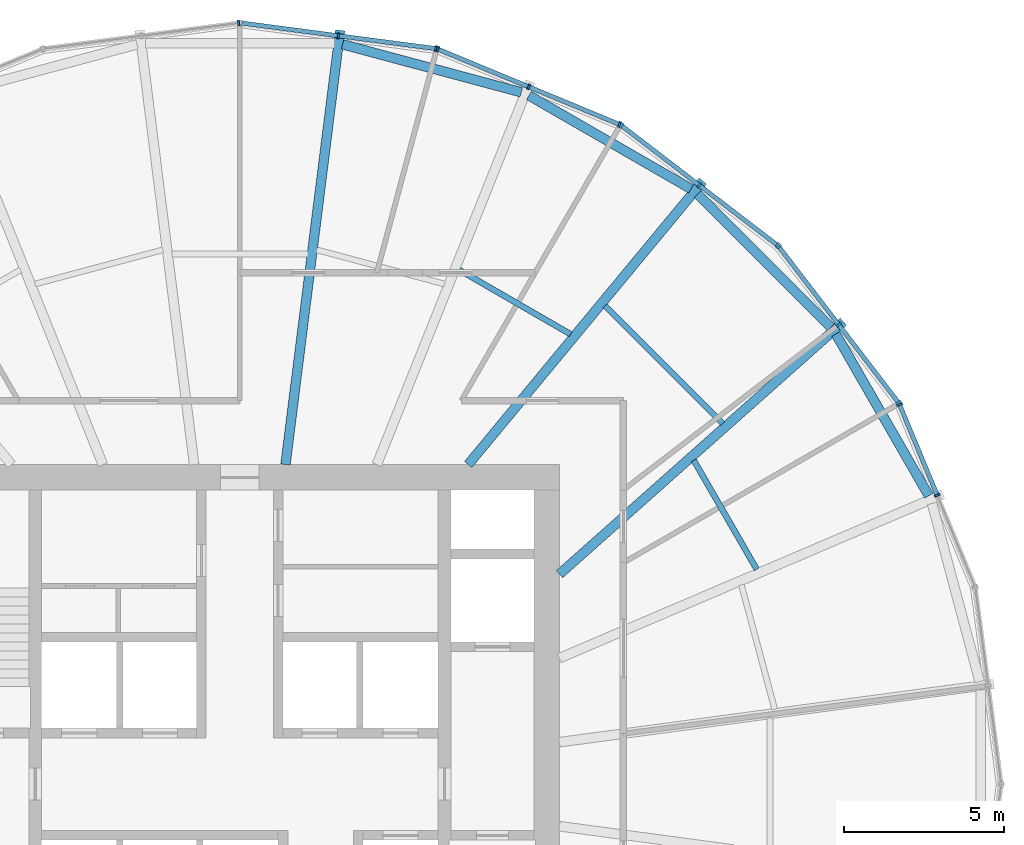
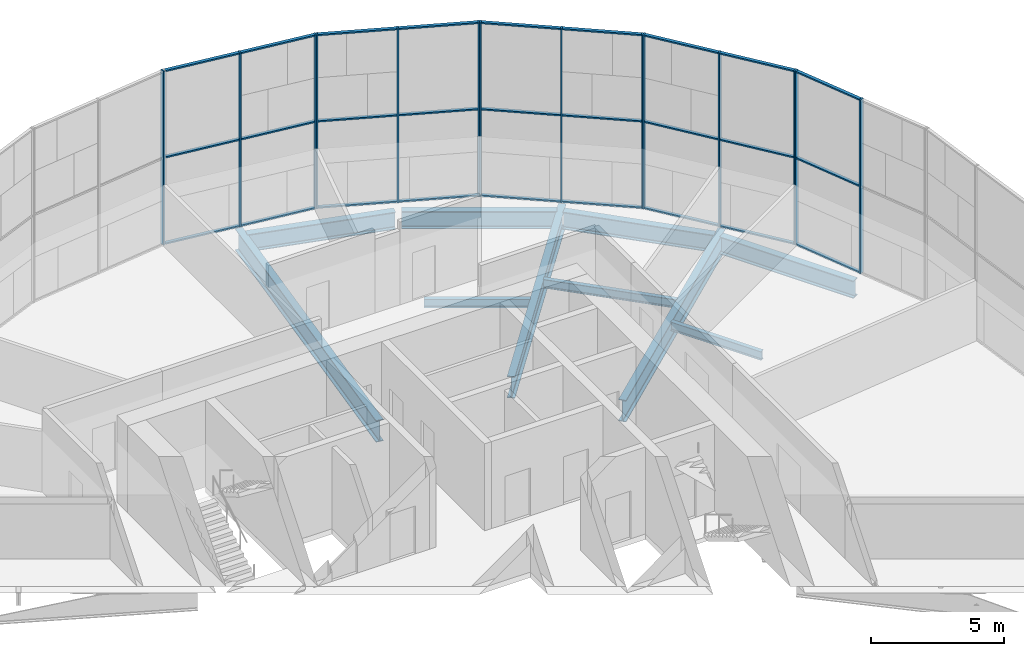
# One storey, part 7 of 18: 41 members, 10 beams, 6 elements without a shape of their own.
"""IFC4 building model written with IfcOpenShell, lengths in metres."""

import ifcopenshell
import ifcopenshell.guid

model = None  # the IFC model being written
_history = None  # IfcOwnerHistory: only IFC2X3 demands one
_inside = {}  # id of a spatial element -> (the spatial element, [elements in it])
_under = {}  # id of a project, library or spatial element -> (it, [spatial elements below it])
_declared = {}  # id of a project -> (the project, [libraries it declares])
_typed = {}  # id of a type object -> (the type object, [elements of that type])
_made_of = {}  # id of a material, layer set ... -> (it, [elements and type objects made of it])


def new_model(schema):
    """Start an empty IFC model of exactly this schema.

    Asked for "IFC4X3", IfcOpenShell would pick the latest addendum, in which some entities
    have other attributes; the version numbers below select the first issue.
    IFC2X3 requires an IfcOwnerHistory on every rooted entity: one is made here for all.
    """
    global model, _history
    if schema == "IFC4X3":
        model = ifcopenshell.file(schema_version=(4, 3, 0, 0))
    else:
        model = ifcopenshell.file(schema=schema)
    _inside.clear()
    _under.clear()
    _declared.clear()
    _typed.clear()
    _made_of.clear()
    _history = None
    if model.schema == "IFC2X3":
        org = make("IfcOrganization", Name="unknown")
        user = make(
            "IfcPersonAndOrganization",
            ThePerson=make("IfcPerson", FamilyName="unknown"),
            TheOrganization=org,
        )
        app = make(
            "IfcApplication",
            ApplicationDeveloper=org,
            Version="unknown",
            ApplicationFullName="unknown",
            ApplicationIdentifier="unknown",
        )
        _history = make(
            "IfcOwnerHistory",
            OwningUser=user,
            OwningApplication=app,
            ChangeAction="ADDED",
            CreationDate=0,
        )
    return model


def make(cls, **values):
    """One entity of the class cls with the attributes given. An attribute that is None is left unset."""
    return model.create_entity(
        cls, **{name: value for name, value in values.items() if value is not None}
    )


def rooted(cls, **values):
    """An entity with a GlobalId (a new one), such as an element, a storey or a relation."""
    return make(cls, GlobalId=ifcopenshell.guid.new(), OwnerHistory=_history, **values)


def si_unit(unit_type, name, prefix=None):
    """IfcSIUnit, for example si_unit("LENGTHUNIT", "METRE", prefix="MILLI")."""
    return make("IfcSIUnit", UnitType=unit_type, Prefix=prefix, Name=name)


def assignment(units):
    """IfcUnitAssignment: the units of a project."""
    return None if units is None else make("IfcUnitAssignment", Units=units)


def point(xyz):
    """IfcCartesianPoint."""
    return None if xyz is None else make("IfcCartesianPoint", Coordinates=xyz)


def direction(xyz):
    """IfcDirection."""
    return None if xyz is None else make("IfcDirection", DirectionRatios=xyz)


def frame(location, z_axis=None, x_axis=None):
    """IfcAxis2Placement3D, a coordinate frame: its origin and axes. An axis left out is left unset."""
    return make(
        "IfcAxis2Placement3D",
        Location=point(location),
        Axis=direction(z_axis),
        RefDirection=direction(x_axis),
    )


def frame_2d(location, x_axis=None):
    """IfcAxis2Placement2D, a coordinate frame in the plane: its origin and x axis."""
    return make(
        "IfcAxis2Placement2D", Location=point(location), RefDirection=direction(x_axis)
    )


def origin():
    """The frame at (0, 0, 0) with its axes left unset."""
    return frame((0.0, 0.0, 0.0))


def origin_2d():
    """The frame at (0, 0) in the plane with its x axis left unset."""
    return frame_2d((0.0, 0.0))


def place(relative_to, where):
    """IfcLocalPlacement: puts the frame where relative to a parent placement (None: the world)."""
    return make(
        "IfcLocalPlacement", PlacementRelTo=relative_to, RelativePlacement=where
    )


def context(
    kind, dimensions, precision=None, world=None, true_north=None, identifier=None
):
    """IfcGeometricRepresentationContext, for example the 3D "Model" context."""
    return make(
        "IfcGeometricRepresentationContext",
        ContextIdentifier=identifier,
        ContextType=kind,
        CoordinateSpaceDimension=dimensions,
        Precision=precision,
        WorldCoordinateSystem=world,
        TrueNorth=true_north,
    )


def subcontext(parent, identifier, kind, view, scale=None):
    """IfcGeometricRepresentationSubContext, for example "Body" below "Model"."""
    return make(
        "IfcGeometricRepresentationSubContext",
        ContextIdentifier=identifier,
        ContextType=kind,
        ParentContext=parent,
        TargetScale=scale,
        TargetView=view,
    )


def project(units=None, contexts=None):
    """IfcProject with its units and contexts."""
    return rooted(
        "IfcProject",
        Name="project",
        RepresentationContexts=contexts,
        UnitsInContext=assignment(units),
    )


def spatial(cls, under=None, at=None, **own):
    """A site, building, storey or space (cls), placed at a placement, below another one or the project."""
    s = rooted(cls, ObjectPlacement=at, **own)
    if under is not None:
        _under.setdefault(under.id(), (under, []))[1].append(s)
    return s


def profile(cls, at=None, kind="AREA", **sizes):
    """A parametric profile (cls). Its sizes go by their IFC names, for example OverallWidth=200.0."""
    return make(cls, ProfileType=kind, Position=at, **sizes)


def rectangle(**sizes):
    """IfcRectangleProfileDef."""
    return profile("IfcRectangleProfileDef", **sizes)


def i_section(**sizes):
    """IfcIShapeProfileDef."""
    return profile("IfcIShapeProfileDef", **sizes)


def extrude(swept, where, along, depth):
    """IfcExtrudedAreaSolid: the profile swept, set in the frame where, extruded along a direction by depth."""
    return make(
        "IfcExtrudedAreaSolid",
        SweptArea=swept,
        Position=where,
        ExtrudedDirection=direction(along),
        Depth=depth,
    )


def shape(context_of_items, identifier, shape_type, items):
    """IfcShapeRepresentation: the items that make up one representation, for example the "Body"."""
    return make(
        "IfcShapeRepresentation",
        ContextOfItems=context_of_items,
        RepresentationIdentifier=identifier,
        RepresentationType=shape_type,
        Items=items,
    )


def material(Name=None, Category=None):
    """IfcMaterial."""
    return make("IfcMaterial", Name=Name, Category=Category)


def material_profile(
    of_material, cross_section, Name=None, Category=None, Priority=None
):
    """IfcMaterialProfile: a cross section and its material."""
    return make(
        "IfcMaterialProfile",
        Name=Name,
        Material=of_material,
        Profile=cross_section,
        Priority=Priority,
        Category=Category,
    )


def profile_set(profiles, Name=None, composite=None):
    """IfcMaterialProfileSet."""
    return make(
        "IfcMaterialProfileSet",
        Name=Name,
        MaterialProfiles=profiles,
        CompositeProfile=composite,
    )


def made_of(thing, what):
    """Note that an element or type object is made of a material, layer set ...; save() writes the relation."""
    if what is not None:
        _made_of.setdefault(what.id(), (what, []))[1].append(thing)
    return thing


def type_object(cls, material=None, **own):
    """A type object (cls), such as IfcWallType, which elements share."""
    return made_of(rooted(cls, **own), material)


def element(
    cls,
    number,
    at=None,
    inside=None,
    cuts=None,
    type_object=None,
    material=None,
    context=None,
    identifier="Body",
    shape_type=None,
    held_by="IfcProductDefinitionShape",
    body=None,
    shapes=None,
    **own,
):
    """One element of the class cls, such as IfcWall. Its Tag is "e" and its number.

    at: its placement. inside: the storey or other place that contains it. cuts: it is an
    opening in that element (IfcRelVoidsElement). A single representation is given by context,
    identifier, shape_type and body (its items); several are given by shapes. held_by: the class
    of the entity that holds the representations. save() writes the other relations.
    """
    e = rooted(cls, Tag="e%d" % number, ObjectPlacement=at, **own)
    if body is not None:
        shapes = [shape(context, identifier, shape_type, body)]
    if shapes is not None:
        e.Representation = make(held_by, Representations=shapes)
    if inside is not None:
        _inside.setdefault(inside.id(), (inside, []))[1].append(e)
    if cuts is not None:
        rooted(
            "IfcRelVoidsElement", RelatingBuildingElement=cuts, RelatedOpeningElement=e
        )
    if type_object is not None:
        _typed.setdefault(type_object.id(), (type_object, []))[1].append(e)
    return made_of(e, material)


def aggregate(whole, parts):
    """IfcRelAggregates: a whole, such as a stair, and the parts it consists of."""
    return rooted("IfcRelAggregates", RelatingObject=whole, RelatedObjects=parts)


def save(model, path):
    """Write the relations noted so far, then the file.

    IfcRelAggregates (storeys below a building ...), IfcRelContainedInSpatialStructure (elements
    in a storey), IfcRelDefinesByType, IfcRelAssociatesMaterial and IfcRelDeclares: one each for
    every whole, place, type object, material and project.
    """
    for whole, parts in _under.values():
        aggregate(whole, parts)
    for where, things in _inside.values():
        rooted(
            "IfcRelContainedInSpatialStructure",
            RelatedElements=things,
            RelatingStructure=where,
        )
    for kind, things in _typed.values():
        rooted("IfcRelDefinesByType", RelatedObjects=things, RelatingType=kind)
    for what, things in _made_of.values():
        rooted("IfcRelAssociatesMaterial", RelatedObjects=things, RelatingMaterial=what)
    for by, libraries in _declared.values():
        rooted("IfcRelDeclares", RelatingContext=by, RelatedDefinitions=libraries)
    model.write(path)


model = new_model("IFC4")

# Units and contexts
model_context = context("Model", 3, precision=1e-05, world=origin(), true_north=direction((0.0, 1.0)))
body_context = subcontext(model_context, "Body", "Model", "MODEL_VIEW")
ifc_project = project(units=[si_unit("LENGTHUNIT", "METRE"), si_unit("AREAUNIT", "SQUARE_METRE"), si_unit("VOLUMEUNIT", "CUBIC_METRE"), si_unit("PLANEANGLEUNIT", "RADIAN"), si_unit("MASSUNIT", "GRAM", prefix="KILO")], contexts=[model_context])

# Site, building, storey
site_placement = place(None, origin())
site = spatial("IfcSite", under=ifc_project, at=site_placement, CompositionType="ELEMENT")
building_placement = place(site_placement, origin())
building = spatial("IfcBuilding", under=site, at=building_placement, Name="Golbaran Civic Tower", CompositionType="ELEMENT")
storey_placement = place(building_placement, frame((0.0, 0.0, 61.0)))
storey = spatial("IfcBuildingStorey", under=building, at=storey_placement, Name="L14", CompositionType="ELEMENT", Elevation=61.0)

# Beams
ifc_material_1 = material(Name="Steel S355", Category="steel")
ifc_material_profile_1 = material_profile(ifc_material_1, i_section(OverallWidth=0.300048828125, OverallDepth=0.800048828125, WebThickness=0.017578125, FlangeThickness=0.032958984375, FilletRadius=0.030029296875, at=origin_2d()), Name="HEB 800")
ifc_profile_set_1 = profile_set([ifc_material_profile_1], Name="Steel S355")
beam_type_1 = type_object("IfcBeamType", Name="EDGE BEAM HEB 800", PredefinedType="BEAM", material=ifc_profile_set_1)
beam_1_placement = place(storey_placement, frame((21.554443359375, 9.022216796875, -0.60009765625), z_axis=(-0.49836662023, 0.866966384493, 0.0), x_axis=(-0.866966384493, -0.49836662023, 0.0)))
element("IfcBeam", 1, at=beam_1_placement, inside=storey, type_object=beam_type_1, Name="Edge beam 22.43 L14", PredefinedType="BEAM", context=body_context, shape_type="SweptSolid", body=[
    extrude(i_section(OverallWidth=0.300048828125, OverallDepth=0.800048828125, WebThickness=0.017578125, FlangeThickness=0.032958984375, FilletRadius=0.030029296875, at=origin_2d()), origin(), (0.0, 0.0, 1.0), 5.837890625),
])
beam_2_placement = place(storey_placement, frame((18.48681640625, 14.290771484375, -0.60009765625), z_axis=(-0.706526914156, 0.707686173083, 0.0), x_axis=(-0.707686173083, -0.706526914156, 0.0)))
element("IfcBeam", 2, at=beam_2_placement, inside=storey, type_object=beam_type_1, Name="Edge beam 37.57 L14", PredefinedType="BEAM", context=body_context, shape_type="SweptSolid", body=[
    extrude(i_section(OverallWidth=0.300048828125, OverallDepth=0.800048828125, WebThickness=0.017578125, FlangeThickness=0.032958984375, FilletRadius=0.030029296875, at=origin_2d()), origin(), (0.0, 0.0, 1.0), 5.896728515625),
])
beam_3_placement = place(storey_placement, frame((14.114013671875, 18.6220703125, -0.60009765625), z_axis=(-0.866302963931, 0.499518943269, 0.0), x_axis=(-0.499518943269, -0.866302963931, 0.0)))
element("IfcBeam", 3, at=beam_3_placement, inside=storey, type_object=beam_type_1, Name="Edge beam 52.43 L14", PredefinedType="BEAM", context=body_context, shape_type="SweptSolid", body=[
    extrude(i_section(OverallWidth=0.300048828125, OverallDepth=0.800048828125, WebThickness=0.017578125, FlangeThickness=0.032958984375, FilletRadius=0.030029296875, at=origin_2d()), origin(), (0.0, 0.0, 1.0), 5.850830078125),
])
beam_4_placement = place(storey_placement, frame((8.80517578125, 21.644287109375, -0.60009765625), z_axis=(-0.965827642387, 0.259185194795, 0.0), x_axis=(-0.259185194795, -0.965827642387, 0.0)))
element("IfcBeam", 4, at=beam_4_placement, inside=storey, type_object=beam_type_1, Name="Edge beam 67.57 L14", PredefinedType="BEAM", context=body_context, shape_type="SweptSolid", body=[
    extrude(i_section(OverallWidth=0.300048828125, OverallDepth=0.800048828125, WebThickness=0.017578125, FlangeThickness=0.032958984375, FilletRadius=0.030029296875, at=origin_2d()), origin(), (0.0, 0.0, 1.0), 5.787353515625),
])
ifc_material_profile_2 = material_profile(ifc_material_1, i_section(OverallWidth=0.179931640625, OverallDepth=0.39990234375, WebThickness=0.008544921875, FlangeThickness=0.013427734375, FilletRadius=0.02099609375, at=origin_2d()), Name="IPE 400")
ifc_profile_set_2 = profile_set([ifc_material_profile_2], Name="Steel S355")
beam_type_2 = type_object("IfcBeamType", Name="FLOOR INFILL BEAM IPE 400", PredefinedType="BEAM", material=ifc_profile_set_2)
beam_5_placement = place(storey_placement, frame((16.1708984375, 6.721435546875, -0.39990234375), z_axis=(-0.499985342893, 0.866033865904, 0.0), x_axis=(-0.866033865904, -0.499985342893, 0.0)))
element("IfcBeam", 5, at=beam_5_placement, inside=storey, type_object=beam_type_2, Name="Infill beam 30.00 L14", PredefinedType="BEAM", context=body_context, shape_type="SweptSolid", body=[
    extrude(i_section(OverallWidth=0.179931640625, OverallDepth=0.39990234375, WebThickness=0.008544921875, FlangeThickness=0.013427734375, FilletRadius=0.02099609375, at=origin_2d()), origin(), (0.0, 0.0, 1.0), 3.93896484375),
])
beam_6_placement = place(storey_placement, frame((15.105712890625, 11.28466796875, -0.39990234375), z_axis=(-0.707106781187, 0.707106781187, 0.0), x_axis=(-0.707106781187, -0.707106781187, 0.0)))
element("IfcBeam", 6, at=beam_6_placement, inside=storey, type_object=beam_type_2, Name="Infill beam 45.00 L14", PredefinedType="BEAM", context=body_context, shape_type="SweptSolid", body=[
    extrude(i_section(OverallWidth=0.179931640625, OverallDepth=0.39990234375, WebThickness=0.008544921875, FlangeThickness=0.013427734375, FilletRadius=0.02099609375, at=origin_2d()), origin(), (0.0, 0.0, 1.0), 5.20654296875),
])
beam_7_placement = place(storey_placement, frame((10.349365234375, 14.075927734375, -0.39990234375), z_axis=(-0.866033119956, 0.499986634961, 0.0), x_axis=(-0.499986634961, -0.866033119956, 0.0)))
element("IfcBeam", 7, at=beam_7_placement, inside=storey, type_object=beam_type_2, Name="Infill beam 60.00 L14", PredefinedType="BEAM", context=body_context, shape_type="SweptSolid", body=[
    extrude(i_section(OverallWidth=0.179931640625, OverallDepth=0.39990234375, WebThickness=0.008544921875, FlangeThickness=0.013427734375, FilletRadius=0.02099609375, at=origin_2d()), origin(), (0.0, 0.0, 1.0), 4.0263671875),
])

# Curtain wall, members
ifc_material_2 = material(Name="Aluminium and glass", Category="aluminium")
curtain_wall_type = type_object("IfcCurtainWallType", Name="INNER SKIN CURTAIN WALL", PredefinedType="NOTDEFINED", material=ifc_material_2)
curtain_wall_1_placement = place(storey_placement, origin())
curtain_wall_1 = element("IfcCurtainWall", 8, at=curtain_wall_1_placement, inside=storey, type_object=curtain_wall_type, Name="Inner skin L14 facet 2 CW1", ObjectType="INNER SKIN", PredefinedType="USERDEFINED")
ifc_material_3 = material(Name="Aluminium", Category="aluminium")
ifc_material_profile_3 = material_profile(ifc_material_3, rectangle(XDim=0.179931640625, YDim=0.06494140625, at=origin_2d()), Name="INNER SKIN CURTAIN WALL MULLION")
ifc_profile_set_3 = profile_set([ifc_material_profile_3], Name="Aluminium")
member_type_1 = type_object("IfcMemberType", Name="INNER SKIN CURTAIN WALL MULLION", PredefinedType="MULLION", material=ifc_profile_set_3)
member_1_placement = place(storey_placement, frame((21.815673828125, 9.036376953125, 0.0), z_axis=(0.0, 0.0, 1.0), x_axis=(-0.923879532505, -0.382683432381, 0.0)))
member_1 = element("IfcMember", 9, at=member_1_placement, type_object=member_type_1, Name="CW1 mullion 2", PredefinedType="MULLION", context=body_context, shape_type="SweptSolid", body=[
    extrude(rectangle(XDim=0.179931640625, YDim=0.06494140625, at=origin_2d()), origin(), (0.0, 0.0, 1.0), 8.0),
])
member_2_placement = place(storey_placement, frame((20.638671875, 11.87841796875, 0.0), z_axis=(0.0, 0.0, 1.0), x_axis=(-0.923879532505, -0.382683432381, 0.0)))
member_2 = element("IfcMember", 10, at=member_2_placement, type_object=member_type_1, Name="CW1 mullion 3", PredefinedType="MULLION", context=body_context, shape_type="SweptSolid", body=[
    extrude(rectangle(XDim=0.179931640625, YDim=0.06494140625, at=origin_2d()), origin(), (0.0, 0.0, 1.0), 8.0),
])

curtain_wall_2_placement = place(storey_placement, origin())
curtain_wall_2 = element("IfcCurtainWall", 11, at=curtain_wall_2_placement, inside=storey, type_object=curtain_wall_type, Name="Inner skin L14 facet 3 CW1", ObjectType="INNER SKIN", PredefinedType="USERDEFINED")
member_3_placement = place(storey_placement, frame((20.6064453125, 11.934326171875, 0.0), z_axis=(0.0, 0.0, 1.0), x_axis=(-0.793353340355, -0.608761428926, 0.0)))
member_3 = element("IfcMember", 12, at=member_3_placement, type_object=member_type_1, Name="CW1 mullion 1", PredefinedType="MULLION", context=body_context, shape_type="SweptSolid", body=[
    extrude(rectangle(XDim=0.179931640625, YDim=0.06494140625, at=origin_2d()), origin(), (0.0, 0.0, 1.0), 8.0),
])
member_4_placement = place(storey_placement, frame((18.733642578125, 14.374755859375, 0.0), z_axis=(0.0, 0.0, 1.0), x_axis=(-0.793353340355, -0.608761428926, 0.0)))
member_4 = element("IfcMember", 13, at=member_4_placement, type_object=member_type_1, Name="CW1 mullion 2", PredefinedType="MULLION", context=body_context, shape_type="SweptSolid", body=[
    extrude(rectangle(XDim=0.179931640625, YDim=0.06494140625, at=origin_2d()), origin(), (0.0, 0.0, 1.0), 8.0),
])
member_5_placement = place(storey_placement, frame((16.86083984375, 16.8154296875, 0.0), z_axis=(0.0, 0.0, 1.0), x_axis=(-0.793353340355, -0.608761428926, 0.0)))
member_5 = element("IfcMember", 14, at=member_5_placement, type_object=member_type_1, Name="CW1 mullion 3", PredefinedType="MULLION", context=body_context, shape_type="SweptSolid", body=[
    extrude(rectangle(XDim=0.179931640625, YDim=0.06494140625, at=origin_2d()), origin(), (0.0, 0.0, 1.0), 8.0),
])

curtain_wall_3_placement = place(storey_placement, origin())
curtain_wall_3 = element("IfcCurtainWall", 15, at=curtain_wall_3_placement, inside=storey, type_object=curtain_wall_type, Name="Inner skin L14 facet 4 CW1", ObjectType="INNER SKIN", PredefinedType="USERDEFINED")
member_6_placement = place(storey_placement, frame((16.8154296875, 16.86083984375, 0.0), z_axis=(0.0, 0.0, 1.0), x_axis=(-0.608761428926, -0.793353340355, 0.0)))
member_6 = element("IfcMember", 16, at=member_6_placement, type_object=member_type_1, Name="CW1 mullion 1", PredefinedType="MULLION", context=body_context, shape_type="SweptSolid", body=[
    extrude(rectangle(XDim=0.179931640625, YDim=0.06494140625, at=origin_2d()), origin(), (0.0, 0.0, 1.0), 8.0),
])
member_7_placement = place(storey_placement, frame((14.374755859375, 18.733642578125, 0.0), z_axis=(0.0, 0.0, 1.0), x_axis=(-0.608761428926, -0.793353340355, 0.0)))
member_7 = element("IfcMember", 17, at=member_7_placement, type_object=member_type_1, Name="CW1 mullion 2", PredefinedType="MULLION", context=body_context, shape_type="SweptSolid", body=[
    extrude(rectangle(XDim=0.179931640625, YDim=0.06494140625, at=origin_2d()), origin(), (0.0, 0.0, 1.0), 8.0),
])
member_8_placement = place(storey_placement, frame((11.934326171875, 20.6064453125, 0.0), z_axis=(0.0, 0.0, 1.0), x_axis=(-0.608761428926, -0.793353340355, 0.0)))
member_8 = element("IfcMember", 18, at=member_8_placement, type_object=member_type_1, Name="CW1 mullion 3", PredefinedType="MULLION", context=body_context, shape_type="SweptSolid", body=[
    extrude(rectangle(XDim=0.179931640625, YDim=0.06494140625, at=origin_2d()), origin(), (0.0, 0.0, 1.0), 8.0),
])

curtain_wall_4_placement = place(storey_placement, origin())
curtain_wall_4 = element("IfcCurtainWall", 19, at=curtain_wall_4_placement, inside=storey, type_object=curtain_wall_type, Name="Inner skin L14 facet 5 CW1", ObjectType="INNER SKIN", PredefinedType="USERDEFINED")
member_9_placement = place(storey_placement, frame((11.87841796875, 20.638671875, 0.0), z_axis=(0.0, 0.0, 1.0), x_axis=(-0.382683432381, -0.923879532505, 0.0)))
member_9 = element("IfcMember", 20, at=member_9_placement, type_object=member_type_1, Name="CW1 mullion 1", PredefinedType="MULLION", context=body_context, shape_type="SweptSolid", body=[
    extrude(rectangle(XDim=0.179931640625, YDim=0.06494140625, at=origin_2d()), origin(), (0.0, 0.0, 1.0), 8.0),
])
member_10_placement = place(storey_placement, frame((9.036376953125, 21.815673828125, 0.0), z_axis=(0.0, 0.0, 1.0), x_axis=(-0.382683432381, -0.923879532505, 0.0)))
member_10 = element("IfcMember", 21, at=member_10_placement, type_object=member_type_1, Name="CW1 mullion 2", PredefinedType="MULLION", context=body_context, shape_type="SweptSolid", body=[
    extrude(rectangle(XDim=0.179931640625, YDim=0.06494140625, at=origin_2d()), origin(), (0.0, 0.0, 1.0), 8.0),
])
member_11_placement = place(storey_placement, frame((6.1943359375, 22.992919921875, 0.0), z_axis=(0.0, 0.0, 1.0), x_axis=(-0.382683432381, -0.923879532505, 0.0)))
member_11 = element("IfcMember", 22, at=member_11_placement, type_object=member_type_1, Name="CW1 mullion 3", PredefinedType="MULLION", context=body_context, shape_type="SweptSolid", body=[
    extrude(rectangle(XDim=0.179931640625, YDim=0.06494140625, at=origin_2d()), origin(), (0.0, 0.0, 1.0), 8.0),
])

curtain_wall_5_placement = place(storey_placement, origin())
curtain_wall_5 = element("IfcCurtainWall", 23, at=curtain_wall_5_placement, inside=storey, type_object=curtain_wall_type, Name="Inner skin L14 facet 6 CW1", ObjectType="INNER SKIN", PredefinedType="USERDEFINED")
member_12_placement = place(storey_placement, frame((6.132080078125, 23.009765625, 0.0), z_axis=(0.0, 0.0, 1.0), x_axis=(-0.130526192185, -0.991444861378, 0.0)))
member_12 = element("IfcMember", 24, at=member_12_placement, type_object=member_type_1, Name="CW1 mullion 1", PredefinedType="MULLION", context=body_context, shape_type="SweptSolid", body=[
    extrude(rectangle(XDim=0.179931640625, YDim=0.06494140625, at=origin_2d()), origin(), (0.0, 0.0, 1.0), 8.0),
])
member_13_placement = place(storey_placement, frame((3.08203125, 23.4111328125, 0.0), z_axis=(0.0, 0.0, 1.0), x_axis=(-0.130526192185, -0.991444861378, 0.0)))
member_13 = element("IfcMember", 25, at=member_13_placement, type_object=member_type_1, Name="CW1 mullion 2", PredefinedType="MULLION", context=body_context, shape_type="SweptSolid", body=[
    extrude(rectangle(XDim=0.179931640625, YDim=0.06494140625, at=origin_2d()), origin(), (0.0, 0.0, 1.0), 8.0),
])

# Curtain wall, member
curtain_wall_6_placement = place(storey_placement, origin())
curtain_wall_6 = element("IfcCurtainWall", 26, at=curtain_wall_6_placement, inside=storey, type_object=curtain_wall_type, Name="Inner skin L14 facet 7 CW1", ObjectType="INNER SKIN", PredefinedType="USERDEFINED")
member_14_placement = place(storey_placement, frame((-0.0322265625, 23.812744140625, 0.0), z_axis=(0.0, 0.0, 1.0), x_axis=(0.130526192185, -0.991444861378, 0.0)))
member_14 = element("IfcMember", 27, at=member_14_placement, type_object=member_type_1, Name="CW1 mullion 1", PredefinedType="MULLION", context=body_context, shape_type="SweptSolid", body=[
    extrude(rectangle(XDim=0.179931640625, YDim=0.06494140625, at=origin_2d()), origin(), (0.0, 0.0, 1.0), 8.0),
])
aggregate(curtain_wall_6, [member_14])

# Member
ifc_material_profile_4 = material_profile(ifc_material_3, rectangle(XDim=0.139892578125, YDim=0.06494140625, at=origin_2d()), Name="INNER SKIN CURTAIN WALL TRANSOM")
ifc_profile_set_4 = profile_set([ifc_material_profile_4], Name="Aluminium")
member_type_2 = type_object("IfcMemberType", Name="INNER SKIN CURTAIN WALL TRANSOM", PredefinedType="USERDEFINED", material=ifc_profile_set_4)
member_15_placement = place(storey_placement, frame((21.803466796875, 9.06640625, 0.032470703125), z_axis=(-0.382685955317, 0.923878487466, 0.0), x_axis=(-0.923878487466, -0.382685955317, 0.0)))
member_15 = element("IfcMember", 28, at=member_15_placement, type_object=member_type_2, Name="CW1 transom 2.1", ObjectType="TRANSOM", PredefinedType="USERDEFINED", context=body_context, shape_type="SweptSolid", body=[
    extrude(rectangle(XDim=0.139892578125, YDim=0.06494140625, at=origin_2d()), origin(), (0.0, 0.0, 1.0), 3.01123046875),
])

member_16_placement = place(storey_placement, frame((21.803466796875, 9.06640625, 4.0), z_axis=(-0.382685955317, 0.923878487466, 0.0), x_axis=(-0.923878487466, -0.382685955317, 0.0)))
member_16 = element("IfcMember", 29, at=member_16_placement, type_object=member_type_2, Name="CW1 transom 2.2", ObjectType="TRANSOM", PredefinedType="USERDEFINED", context=body_context, shape_type="SweptSolid", body=[
    extrude(rectangle(XDim=0.139892578125, YDim=0.06494140625, at=origin_2d()), origin(), (0.0, 0.0, 1.0), 3.01123046875),
])

member_17_placement = place(storey_placement, frame((21.803466796875, 9.06640625, 7.967529296875), z_axis=(-0.382685955317, 0.923878487466, 0.0), x_axis=(-0.923878487466, -0.382685955317, 0.0)))
member_17 = element("IfcMember", 30, at=member_17_placement, type_object=member_type_2, Name="CW1 transom 2.3", ObjectType="TRANSOM", PredefinedType="USERDEFINED", context=body_context, shape_type="SweptSolid", body=[
    extrude(rectangle(XDim=0.139892578125, YDim=0.06494140625, at=origin_2d()), origin(), (0.0, 0.0, 1.0), 3.01123046875),
])

aggregate(curtain_wall_1, [member_1, member_2, member_15, member_16, member_17])

member_18_placement = place(storey_placement, frame((20.586669921875, 11.9599609375, 0.032470703125), z_axis=(-0.608758270239, 0.793355764091, 0.0), x_axis=(-0.793355764091, -0.608758270239, 0.0)))
member_18 = element("IfcMember", 31, at=member_18_placement, type_object=member_type_2, Name="CW1 transom 1.1", ObjectType="TRANSOM", PredefinedType="USERDEFINED", context=body_context, shape_type="SweptSolid", body=[
    extrude(rectangle(XDim=0.139892578125, YDim=0.06494140625, at=origin_2d()), origin(), (0.0, 0.0, 1.0), 3.011474609375),
])

member_19_placement = place(storey_placement, frame((20.586669921875, 11.9599609375, 4.0), z_axis=(-0.608758270239, 0.793355764091, 0.0), x_axis=(-0.793355764091, -0.608758270239, 0.0)))
member_19 = element("IfcMember", 32, at=member_19_placement, type_object=member_type_2, Name="CW1 transom 1.2", ObjectType="TRANSOM", PredefinedType="USERDEFINED", context=body_context, shape_type="SweptSolid", body=[
    extrude(rectangle(XDim=0.139892578125, YDim=0.06494140625, at=origin_2d()), origin(), (0.0, 0.0, 1.0), 3.011474609375),
])

member_20_placement = place(storey_placement, frame((20.586669921875, 11.9599609375, 7.967529296875), z_axis=(-0.608758270239, 0.793355764091, 0.0), x_axis=(-0.793355764091, -0.608758270239, 0.0)))
member_20 = element("IfcMember", 33, at=member_20_placement, type_object=member_type_2, Name="CW1 transom 1.3", ObjectType="TRANSOM", PredefinedType="USERDEFINED", context=body_context, shape_type="SweptSolid", body=[
    extrude(rectangle(XDim=0.139892578125, YDim=0.06494140625, at=origin_2d()), origin(), (0.0, 0.0, 1.0), 3.011474609375),
])

member_21_placement = place(storey_placement, frame((18.7138671875, 14.400634765625, 0.032470703125), z_axis=(-0.60879742597, 0.793325717554, 0.0), x_axis=(-0.793325717554, -0.60879742597, 0.0)))
member_21 = element("IfcMember", 34, at=member_21_placement, type_object=member_type_2, Name="CW1 transom 2.1", ObjectType="TRANSOM", PredefinedType="USERDEFINED", context=body_context, shape_type="SweptSolid", body=[
    extrude(rectangle(XDim=0.139892578125, YDim=0.06494140625, at=origin_2d()), origin(), (0.0, 0.0, 1.0), 3.01123046875),
])

member_22_placement = place(storey_placement, frame((18.7138671875, 14.400634765625, 4.0), z_axis=(-0.60879742597, 0.793325717554, 0.0), x_axis=(-0.793325717554, -0.60879742597, 0.0)))
member_22 = element("IfcMember", 35, at=member_22_placement, type_object=member_type_2, Name="CW1 transom 2.2", ObjectType="TRANSOM", PredefinedType="USERDEFINED", context=body_context, shape_type="SweptSolid", body=[
    extrude(rectangle(XDim=0.139892578125, YDim=0.06494140625, at=origin_2d()), origin(), (0.0, 0.0, 1.0), 3.01123046875),
])

member_23_placement = place(storey_placement, frame((18.7138671875, 14.400634765625, 7.967529296875), z_axis=(-0.60879742597, 0.793325717554, 0.0), x_axis=(-0.793325717554, -0.60879742597, 0.0)))
member_23 = element("IfcMember", 36, at=member_23_placement, type_object=member_type_2, Name="CW1 transom 2.3", ObjectType="TRANSOM", PredefinedType="USERDEFINED", context=body_context, shape_type="SweptSolid", body=[
    extrude(rectangle(XDim=0.139892578125, YDim=0.06494140625, at=origin_2d()), origin(), (0.0, 0.0, 1.0), 3.01123046875),
])

aggregate(curtain_wall_2, [member_3, member_4, member_5, member_18, member_19, member_20, member_21, member_22, member_23])

member_24_placement = place(storey_placement, frame((16.78955078125, 16.880615234375, 0.032470703125), z_axis=(-0.793325717554, 0.60879742597, 0.0), x_axis=(-0.60879742597, -0.793325717554, 0.0)))
member_24 = element("IfcMember", 37, at=member_24_placement, type_object=member_type_2, Name="CW1 transom 1.1", ObjectType="TRANSOM", PredefinedType="USERDEFINED", context=body_context, shape_type="SweptSolid", body=[
    extrude(rectangle(XDim=0.139892578125, YDim=0.06494140625, at=origin_2d()), origin(), (0.0, 0.0, 1.0), 3.01123046875),
])

member_25_placement = place(storey_placement, frame((16.78955078125, 16.880615234375, 4.0), z_axis=(-0.793325717554, 0.60879742597, 0.0), x_axis=(-0.60879742597, -0.793325717554, 0.0)))
member_25 = element("IfcMember", 38, at=member_25_placement, type_object=member_type_2, Name="CW1 transom 1.2", ObjectType="TRANSOM", PredefinedType="USERDEFINED", context=body_context, shape_type="SweptSolid", body=[
    extrude(rectangle(XDim=0.139892578125, YDim=0.06494140625, at=origin_2d()), origin(), (0.0, 0.0, 1.0), 3.01123046875),
])

member_26_placement = place(storey_placement, frame((16.78955078125, 16.880615234375, 7.967529296875), z_axis=(-0.793325717554, 0.60879742597, 0.0), x_axis=(-0.60879742597, -0.793325717554, 0.0)))
member_26 = element("IfcMember", 39, at=member_26_placement, type_object=member_type_2, Name="CW1 transom 1.3", ObjectType="TRANSOM", PredefinedType="USERDEFINED", context=body_context, shape_type="SweptSolid", body=[
    extrude(rectangle(XDim=0.139892578125, YDim=0.06494140625, at=origin_2d()), origin(), (0.0, 0.0, 1.0), 3.01123046875),
])

member_27_placement = place(storey_placement, frame((14.34912109375, 18.75341796875, 0.032470703125), z_axis=(-0.793355764091, 0.608758270239, 0.0), x_axis=(-0.608758270239, -0.793355764091, 0.0)))
member_27 = element("IfcMember", 40, at=member_27_placement, type_object=member_type_2, Name="CW1 transom 2.1", ObjectType="TRANSOM", PredefinedType="USERDEFINED", context=body_context, shape_type="SweptSolid", body=[
    extrude(rectangle(XDim=0.139892578125, YDim=0.06494140625, at=origin_2d()), origin(), (0.0, 0.0, 1.0), 3.011474609375),
])

member_28_placement = place(storey_placement, frame((14.34912109375, 18.75341796875, 4.0), z_axis=(-0.793355764091, 0.608758270239, 0.0), x_axis=(-0.608758270239, -0.793355764091, 0.0)))
member_28 = element("IfcMember", 41, at=member_28_placement, type_object=member_type_2, Name="CW1 transom 2.2", ObjectType="TRANSOM", PredefinedType="USERDEFINED", context=body_context, shape_type="SweptSolid", body=[
    extrude(rectangle(XDim=0.139892578125, YDim=0.06494140625, at=origin_2d()), origin(), (0.0, 0.0, 1.0), 3.011474609375),
])

member_29_placement = place(storey_placement, frame((14.34912109375, 18.75341796875, 7.967529296875), z_axis=(-0.793355764091, 0.608758270239, 0.0), x_axis=(-0.608758270239, -0.793355764091, 0.0)))
member_29 = element("IfcMember", 42, at=member_29_placement, type_object=member_type_2, Name="CW1 transom 2.3", ObjectType="TRANSOM", PredefinedType="USERDEFINED", context=body_context, shape_type="SweptSolid", body=[
    extrude(rectangle(XDim=0.139892578125, YDim=0.06494140625, at=origin_2d()), origin(), (0.0, 0.0, 1.0), 3.011474609375),
])

aggregate(curtain_wall_3, [member_6, member_7, member_8, member_24, member_25, member_26, member_27, member_28, member_29])

member_30_placement = place(storey_placement, frame((11.848388671875, 20.651123046875, 0.032470703125), z_axis=(-0.923878487466, 0.382685955317, 0.0), x_axis=(-0.382685955317, -0.923878487466, 0.0)))
member_30 = element("IfcMember", 43, at=member_30_placement, type_object=member_type_2, Name="CW1 transom 1.1", ObjectType="TRANSOM", PredefinedType="USERDEFINED", context=body_context, shape_type="SweptSolid", body=[
    extrude(rectangle(XDim=0.139892578125, YDim=0.06494140625, at=origin_2d()), origin(), (0.0, 0.0, 1.0), 3.01123046875),
])

member_31_placement = place(storey_placement, frame((11.848388671875, 20.651123046875, 4.0), z_axis=(-0.923878487466, 0.382685955317, 0.0), x_axis=(-0.382685955317, -0.923878487466, 0.0)))
member_31 = element("IfcMember", 44, at=member_31_placement, type_object=member_type_2, Name="CW1 transom 1.2", ObjectType="TRANSOM", PredefinedType="USERDEFINED", context=body_context, shape_type="SweptSolid", body=[
    extrude(rectangle(XDim=0.139892578125, YDim=0.06494140625, at=origin_2d()), origin(), (0.0, 0.0, 1.0), 3.01123046875),
])

member_32_placement = place(storey_placement, frame((11.848388671875, 20.651123046875, 7.967529296875), z_axis=(-0.923878487466, 0.382685955317, 0.0), x_axis=(-0.382685955317, -0.923878487466, 0.0)))
member_32 = element("IfcMember", 45, at=member_32_placement, type_object=member_type_2, Name="CW1 transom 1.3", ObjectType="TRANSOM", PredefinedType="USERDEFINED", context=body_context, shape_type="SweptSolid", body=[
    extrude(rectangle(XDim=0.139892578125, YDim=0.06494140625, at=origin_2d()), origin(), (0.0, 0.0, 1.0), 3.01123046875),
])

member_33_placement = place(storey_placement, frame((9.00634765625, 21.828125, 0.032470703125), z_axis=(-0.923878487466, 0.382685955317, 0.0), x_axis=(-0.382685955317, -0.923878487466, 0.0)))
member_33 = element("IfcMember", 46, at=member_33_placement, type_object=member_type_2, Name="CW1 transom 2.1", ObjectType="TRANSOM", PredefinedType="USERDEFINED", context=body_context, shape_type="SweptSolid", body=[
    extrude(rectangle(XDim=0.139892578125, YDim=0.06494140625, at=origin_2d()), origin(), (0.0, 0.0, 1.0), 3.01123046875),
])

member_34_placement = place(storey_placement, frame((9.00634765625, 21.828125, 4.0), z_axis=(-0.923878487466, 0.382685955317, 0.0), x_axis=(-0.382685955317, -0.923878487466, 0.0)))
member_34 = element("IfcMember", 47, at=member_34_placement, type_object=member_type_2, Name="CW1 transom 2.2", ObjectType="TRANSOM", PredefinedType="USERDEFINED", context=body_context, shape_type="SweptSolid", body=[
    extrude(rectangle(XDim=0.139892578125, YDim=0.06494140625, at=origin_2d()), origin(), (0.0, 0.0, 1.0), 3.01123046875),
])

member_35_placement = place(storey_placement, frame((9.00634765625, 21.828125, 7.967529296875), z_axis=(-0.923878487466, 0.382685955317, 0.0), x_axis=(-0.382685955317, -0.923878487466, 0.0)))
member_35 = element("IfcMember", 48, at=member_35_placement, type_object=member_type_2, Name="CW1 transom 2.3", ObjectType="TRANSOM", PredefinedType="USERDEFINED", context=body_context, shape_type="SweptSolid", body=[
    extrude(rectangle(XDim=0.139892578125, YDim=0.06494140625, at=origin_2d()), origin(), (0.0, 0.0, 1.0), 3.01123046875),
])

aggregate(curtain_wall_4, [member_9, member_10, member_11, member_30, member_31, member_32, member_33, member_34, member_35])

member_36_placement = place(storey_placement, frame((6.099853515625, 23.013916015625, 0.032470703125), z_axis=(-0.991444634679, 0.130527914125, 0.0), x_axis=(-0.130527914125, -0.991444634679, 0.0)))
member_36 = element("IfcMember", 49, at=member_36_placement, type_object=member_type_2, Name="CW1 transom 1.1", ObjectType="TRANSOM", PredefinedType="USERDEFINED", context=body_context, shape_type="SweptSolid", body=[
    extrude(rectangle(XDim=0.139892578125, YDim=0.06494140625, at=origin_2d()), origin(), (0.0, 0.0, 1.0), 3.011474609375),
])

member_37_placement = place(storey_placement, frame((6.099853515625, 23.013916015625, 4.0), z_axis=(-0.991444634679, 0.130527914125, 0.0), x_axis=(-0.130527914125, -0.991444634679, 0.0)))
member_37 = element("IfcMember", 50, at=member_37_placement, type_object=member_type_2, Name="CW1 transom 1.2", ObjectType="TRANSOM", PredefinedType="USERDEFINED", context=body_context, shape_type="SweptSolid", body=[
    extrude(rectangle(XDim=0.139892578125, YDim=0.06494140625, at=origin_2d()), origin(), (0.0, 0.0, 1.0), 3.011474609375),
])

member_38_placement = place(storey_placement, frame((6.099853515625, 23.013916015625, 7.967529296875), z_axis=(-0.991444634679, 0.130527914125, 0.0), x_axis=(-0.130527914125, -0.991444634679, 0.0)))
member_38 = element("IfcMember", 51, at=member_38_placement, type_object=member_type_2, Name="CW1 transom 1.3", ObjectType="TRANSOM", PredefinedType="USERDEFINED", context=body_context, shape_type="SweptSolid", body=[
    extrude(rectangle(XDim=0.139892578125, YDim=0.06494140625, at=origin_2d()), origin(), (0.0, 0.0, 1.0), 3.011474609375),
])

member_39_placement = place(storey_placement, frame((3.0498046875, 23.41552734375, 0.032470703125), z_axis=(-0.991443253224, 0.130538406746, 0.0), x_axis=(-0.130538406746, -0.991443253224, 0.0)))
member_39 = element("IfcMember", 52, at=member_39_placement, type_object=member_type_2, Name="CW1 transom 2.1", ObjectType="TRANSOM", PredefinedType="USERDEFINED", context=body_context, shape_type="SweptSolid", body=[
    extrude(rectangle(XDim=0.139892578125, YDim=0.06494140625, at=origin_2d()), origin(), (0.0, 0.0, 1.0), 3.01123046875),
])

member_40_placement = place(storey_placement, frame((3.0498046875, 23.41552734375, 4.0), z_axis=(-0.991443253224, 0.130538406746, 0.0), x_axis=(-0.130538406746, -0.991443253224, 0.0)))
member_40 = element("IfcMember", 53, at=member_40_placement, type_object=member_type_2, Name="CW1 transom 2.2", ObjectType="TRANSOM", PredefinedType="USERDEFINED", context=body_context, shape_type="SweptSolid", body=[
    extrude(rectangle(XDim=0.139892578125, YDim=0.06494140625, at=origin_2d()), origin(), (0.0, 0.0, 1.0), 3.01123046875),
])

member_41_placement = place(storey_placement, frame((3.0498046875, 23.41552734375, 7.967529296875), z_axis=(-0.991443253224, 0.130538406746, 0.0), x_axis=(-0.130538406746, -0.991443253224, 0.0)))
member_41 = element("IfcMember", 54, at=member_41_placement, type_object=member_type_2, Name="CW1 transom 2.3", ObjectType="TRANSOM", PredefinedType="USERDEFINED", context=body_context, shape_type="SweptSolid", body=[
    extrude(rectangle(XDim=0.139892578125, YDim=0.06494140625, at=origin_2d()), origin(), (0.0, 0.0, 1.0), 3.01123046875),
])

aggregate(curtain_wall_5, [member_12, member_13, member_36, member_37, member_38, member_39, member_40, member_41])

# Beams
ifc_material_profile_5 = material_profile(ifc_material_1, i_section(OverallWidth=0.300048828125, OverallDepth=1.0, WebThickness=0.01904296875, FlangeThickness=0.035888671875, FilletRadius=0.030029296875, at=origin_2d()), Name="HEB 1000")
ifc_profile_set_5 = profile_set([ifc_material_profile_5], Name="Steel S355")
beam_type_3 = type_object("IfcBeamType", Name="RADIAL FLOOR BEAM HEB 1000", PredefinedType="BEAM", material=ifc_profile_set_5)
beam_8_placement = place(storey_placement, frame((10.0, 6.571533203125, -0.7099609375), z_axis=(0.747356046035, 0.664423765721, 0.0), x_axis=(-0.664423765721, 0.747356046035, 0.0)))
element("IfcBeam", 55, at=beam_8_placement, inside=storey, type_object=beam_type_3, Name="Radial beam 37.57 L14", PredefinedType="BEAM", context=body_context, shape_type="SweptSolid", body=[
    extrude(i_section(OverallWidth=0.300048828125, OverallDepth=1.0, WebThickness=0.01904296875, FlangeThickness=0.035888671875, FilletRadius=0.030029296875, at=origin_2d()), origin(), (0.0, 0.0, 1.0), 11.88427734375),
])
beam_9_placement = place(storey_placement, frame((7.142822265625, 10.0, -0.7099609375), z_axis=(0.637799822524, 0.770202172412, 0.0), x_axis=(-0.770202172412, 0.637799822524, 0.0)))
element("IfcBeam", 56, at=beam_9_placement, inside=storey, type_object=beam_type_3, Name="Radial beam 52.43 L14", PredefinedType="BEAM", context=body_context, shape_type="SweptSolid", body=[
    extrude(i_section(OverallWidth=0.300048828125, OverallDepth=1.0, WebThickness=0.01904296875, FlangeThickness=0.035888671875, FilletRadius=0.030029296875, at=origin_2d()), origin(), (0.0, 0.0, 1.0), 11.515380859375),
])
beam_10_placement = place(storey_placement, frame((1.428466796875, 10.0, -0.7099609375), z_axis=(0.124991624098, 0.992157796878, 0.0), x_axis=(-0.992157796878, 0.124991624098, 0.0)))
element("IfcBeam", 57, at=beam_10_placement, inside=storey, type_object=beam_type_3, Name="Radial beam 82.43 L14", PredefinedType="BEAM", context=body_context, shape_type="SweptSolid", body=[
    extrude(i_section(OverallWidth=0.300048828125, OverallDepth=1.0, WebThickness=0.01904296875, FlangeThickness=0.035888671875, FilletRadius=0.030029296875, at=origin_2d()), origin(), (0.0, 0.0, 1.0), 13.6904296875),
])

save(model, "model.ifc")
